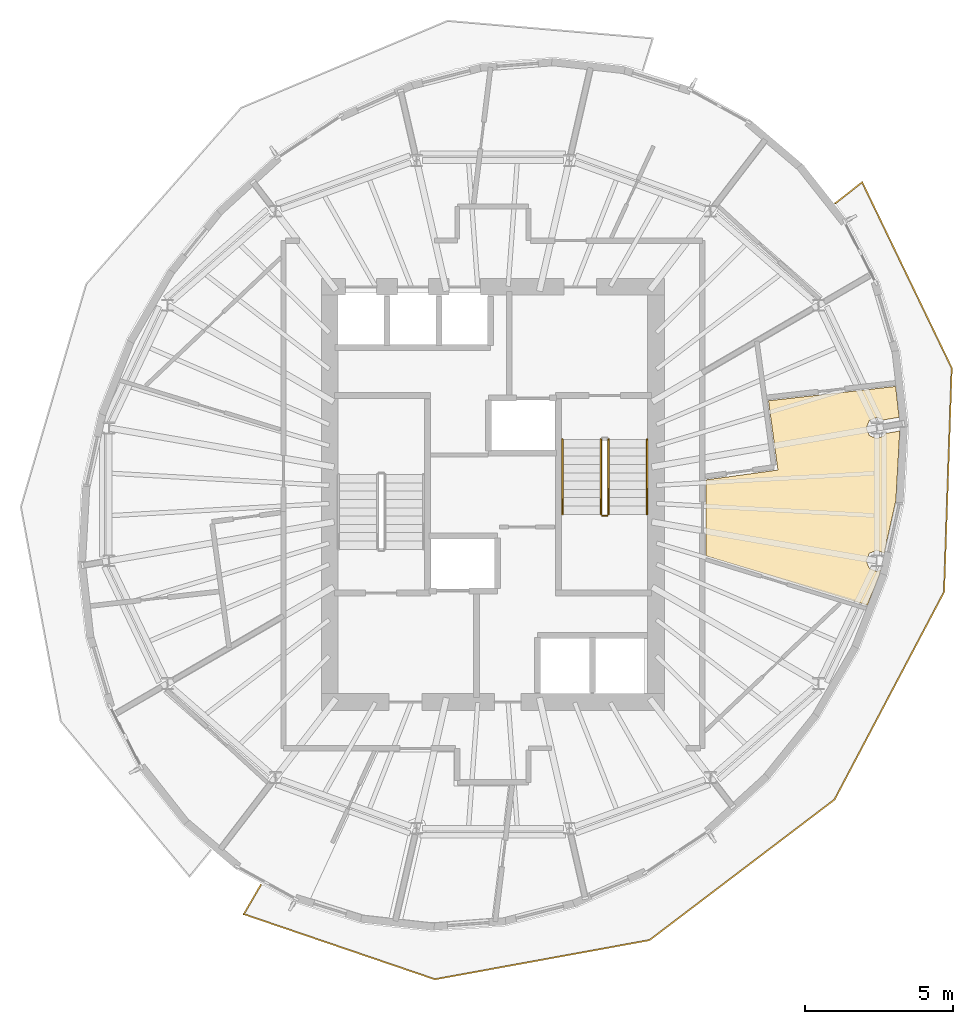
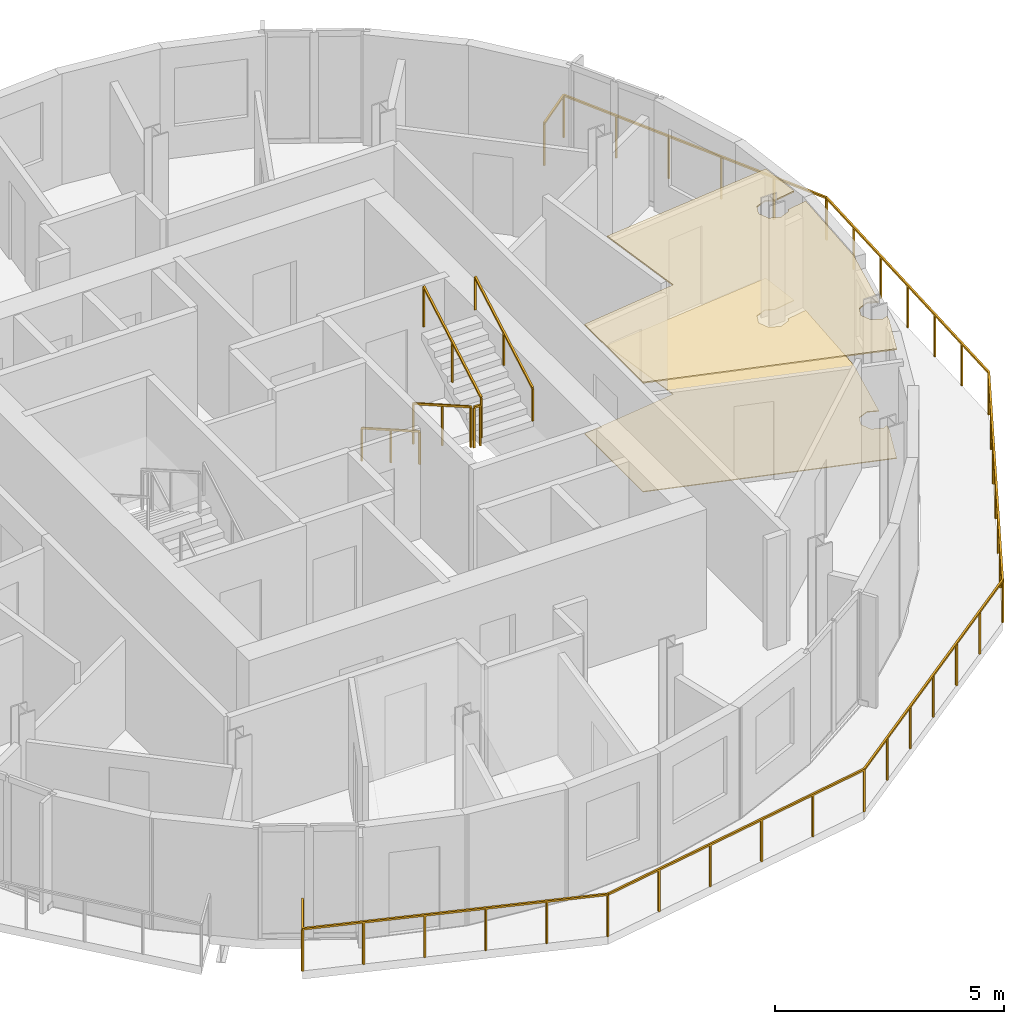
# One storey, part 9 of 11: 6 railings, 2 coverings.
"""IFC4 building model written with IfcOpenShell, lengths in metres."""

from ifc_helpers import new_model, si_unit, direction, frame, origin, origin_2d, place, context, subcontext, project, spatial, polyline, rectangle, outline, extrude, material, layer, layer_set, type_object, element, save


model = new_model("IFC4")

# Units and contexts
model_context = context("Model", 3, precision=1e-05, world=origin(), true_north=direction((0.0, 1.0)))
body_context = subcontext(model_context, "Body", "Model", "MODEL_VIEW")
ifc_project = project(units=[si_unit("LENGTHUNIT", "METRE"), si_unit("AREAUNIT", "SQUARE_METRE"), si_unit("VOLUMEUNIT", "CUBIC_METRE"), si_unit("PLANEANGLEUNIT", "RADIAN"), si_unit("MASSUNIT", "GRAM", prefix="KILO")], contexts=[model_context])

# Site, building, storey
site_placement = place(None, origin())
site = spatial("IfcSite", under=ifc_project, at=site_placement, CompositionType="ELEMENT")
building_placement = place(site_placement, origin())
building = spatial("IfcBuilding", under=site, at=building_placement, Name="Veldorim Arch Residences", CompositionType="ELEMENT")
storey_placement = place(building_placement, frame((0.0, 0.0, 227.0400390625)))
storey = spatial("IfcBuildingStorey", under=building, at=storey_placement, Name="L68", CompositionType="ELEMENT", Elevation=227.0400390625)

# Railings
ifc_material_1 = material(Name="Aluminium", Category="aluminium")
railing_type_1 = type_object("IfcRailingType", Name="Balcony & Terrace Laminated Glass Balustrade 1150", PredefinedType="BALUSTRADE", material=ifc_material_1)
railing_1_placement = place(storey_placement, frame((24.1767578125, 10.8408203125, 0.0)))
element("IfcRailing", 1, at=railing_1_placement, inside=storey, type_object=railing_type_1, Name="L68 crescent balcony safety balustrade B", PredefinedType="BALUSTRADE", context=body_context, shape_type="SweptSolid", body=[
    extrude(rectangle(XDim=0.048095703125, YDim=0.048095703125, at=origin_2d()), frame((0.0, 0.0, 1.1259765625), z_axis=(-0.502391622868, -0.864640189484, 0.0), x_axis=(0.864640189484, -0.502391622868, 0.0)), (0.0, 0.0, 1.0), 1.149658203125),
    extrude(rectangle(XDim=0.048095703125, YDim=0.048095703125, at=origin_2d()), frame((-0.57763671875, -0.994140625, 1.1259765625), z_axis=(0.946524622517, -0.322631583961, 0.0), x_axis=(0.322631583961, 0.946524622517, 0.0)), (0.0, 0.0, 1.0), 6.808837890625),
    extrude(rectangle(XDim=0.048095703125, YDim=0.048095703125, at=origin_2d()), frame((5.8671875, -3.19091796875, 1.1259765625), z_axis=(0.983745959896, 0.179565827452, 0.0), x_axis=(-0.179565827452, 0.983745959896, 0.0)), (0.0, 0.0, 1.0), 7.35693359375),
    extrude(rectangle(XDim=0.048095703125, YDim=0.048095703125, at=origin_2d()), frame((13.1044921875, -1.869873046875, 1.1259765625), z_axis=(0.796345377287, 0.604842161289, 0.0), x_axis=(-0.604842161289, 0.796345377287, 0.0)), (0.0, 0.0, 1.0), 7.83154296875),
    extrude(rectangle(XDim=0.048095703125, YDim=0.048095703125, at=origin_2d()), frame((19.341064453125, 2.866943359375, 1.1259765625), z_axis=(0.466603888338, 0.884466399242, 0.0), x_axis=(-0.884466399242, 0.466603888338, 0.0)), (0.0, 0.0, 1.0), 7.919189453125),
    extrude(rectangle(XDim=0.048095703125, YDim=0.048095703125, at=origin_2d()), frame((23.0361328125, 9.87109375, 1.1259765625), z_axis=(0.034155106442, 0.999416544142, 0.0), x_axis=(-0.999416544142, 0.034155106442, 0.0)), (0.0, 0.0, 1.0), 7.555419921875),
    extrude(rectangle(XDim=0.048095703125, YDim=0.048095703125, at=origin_2d()), frame((23.294189453125, 17.422119140625, 1.1259765625), z_axis=(-0.434350544358, 0.900743917335, 0.0), x_axis=(-0.900743917335, -0.434350544358, 0.0)), (0.0, 0.0, 1.0), 6.956298828125),
    extrude(rectangle(XDim=0.048095703125, YDim=0.048095703125, at=origin_2d()), frame((20.272705078125, 23.68798828125, 1.1259765625), z_axis=(-0.78550730875, -0.618852379732, 0.0), x_axis=(0.618852379732, -0.78550730875, 0.0)), (0.0, 0.0, 1.0), 1.14990234375),
    extrude(rectangle(XDim=0.0419921875, YDim=0.0419921875, at=origin_2d()), origin(), (0.0, 0.0, 1.0), 1.101806640625),
    extrude(rectangle(XDim=0.0419921875, YDim=0.0419921875, at=origin_2d()), frame((-0.57763671875, -0.994140625, 0.0)), (0.0, 0.0, 1.0), 1.101806640625),
    extrude(rectangle(XDim=0.0419921875, YDim=0.0419921875, at=origin_2d()), frame((0.71142578125, -1.43359375, 0.0)), (0.0, 0.0, 1.0), 1.101806640625),
    extrude(rectangle(XDim=0.0419921875, YDim=0.0419921875, at=origin_2d()), frame((2.000244140625, -1.872802734375, 0.0)), (0.0, 0.0, 1.0), 1.101806640625),
    extrude(rectangle(XDim=0.0419921875, YDim=0.0419921875, at=origin_2d()), frame((3.289306640625, -2.312255859375, 0.0)), (0.0, 0.0, 1.0), 1.101806640625),
    extrude(rectangle(XDim=0.0419921875, YDim=0.0419921875, at=origin_2d()), frame((4.578125, -2.75146484375, 0.0)), (0.0, 0.0, 1.0), 1.101806640625),
    extrude(rectangle(XDim=0.0419921875, YDim=0.0419921875, at=origin_2d()), frame((5.8671875, -3.19091796875, 0.0)), (0.0, 0.0, 1.0), 1.101806640625),
    extrude(rectangle(XDim=0.0419921875, YDim=0.0419921875, at=origin_2d()), frame((7.314697265625, -2.9267578125, 0.0)), (0.0, 0.0, 1.0), 1.101806640625),
    extrude(rectangle(XDim=0.0419921875, YDim=0.0419921875, at=origin_2d()), frame((8.76220703125, -2.66259765625, 0.0)), (0.0, 0.0, 1.0), 1.101806640625),
    extrude(rectangle(XDim=0.0419921875, YDim=0.0419921875, at=origin_2d()), frame((10.20947265625, -2.398193359375, 0.0)), (0.0, 0.0, 1.0), 1.101806640625),
    extrude(rectangle(XDim=0.0419921875, YDim=0.0419921875, at=origin_2d()), frame((11.656982421875, -2.134033203125, 0.0)), (0.0, 0.0, 1.0), 1.101806640625),
    extrude(rectangle(XDim=0.0419921875, YDim=0.0419921875, at=origin_2d()), frame((13.1044921875, -1.869873046875, 0.0)), (0.0, 0.0, 1.0), 1.101806640625),
    extrude(rectangle(XDim=0.0419921875, YDim=0.0419921875, at=origin_2d()), frame((14.14404296875, -1.080322265625, 0.0)), (0.0, 0.0, 1.0), 1.101806640625),
    extrude(rectangle(XDim=0.0419921875, YDim=0.0419921875, at=origin_2d()), frame((15.183349609375, -0.291015625, 0.0)), (0.0, 0.0, 1.0), 1.101806640625),
    extrude(rectangle(XDim=0.0419921875, YDim=0.0419921875, at=origin_2d()), frame((16.22265625, 0.49853515625, 0.0)), (0.0, 0.0, 1.0), 1.101806640625),
    extrude(rectangle(XDim=0.0419921875, YDim=0.0419921875, at=origin_2d()), frame((17.26220703125, 1.2880859375, 0.0)), (0.0, 0.0, 1.0), 1.101806640625),
    extrude(rectangle(XDim=0.0419921875, YDim=0.0419921875, at=origin_2d()), frame((18.3017578125, 2.077392578125, 0.0)), (0.0, 0.0, 1.0), 1.101806640625),
    extrude(rectangle(XDim=0.0419921875, YDim=0.0419921875, at=origin_2d()), frame((19.341064453125, 2.866943359375, 0.0)), (0.0, 0.0, 1.0), 1.101806640625),
    extrude(rectangle(XDim=0.0419921875, YDim=0.0419921875, at=origin_2d()), frame((19.95703125, 4.0341796875, 0.0)), (0.0, 0.0, 1.0), 1.101806640625),
    extrude(rectangle(XDim=0.0419921875, YDim=0.0419921875, at=origin_2d()), frame((20.57275390625, 5.20166015625, 0.0)), (0.0, 0.0, 1.0), 1.101806640625),
    extrude(rectangle(XDim=0.0419921875, YDim=0.0419921875, at=origin_2d()), frame((21.1884765625, 6.369140625, 0.0)), (0.0, 0.0, 1.0), 1.101806640625),
    extrude(rectangle(XDim=0.0419921875, YDim=0.0419921875, at=origin_2d()), frame((21.804443359375, 7.536376953125, 0.0)), (0.0, 0.0, 1.0), 1.101806640625),
    extrude(rectangle(XDim=0.0419921875, YDim=0.0419921875, at=origin_2d()), frame((22.42041015625, 8.70361328125, 0.0)), (0.0, 0.0, 1.0), 1.101806640625),
    extrude(rectangle(XDim=0.0419921875, YDim=0.0419921875, at=origin_2d()), frame((23.0361328125, 9.87109375, 0.0)), (0.0, 0.0, 1.0), 1.101806640625),
    extrude(rectangle(XDim=0.0419921875, YDim=0.0419921875, at=origin_2d()), frame((23.0791015625, 11.129638671875, 0.0)), (0.0, 0.0, 1.0), 1.101806640625),
    extrude(rectangle(XDim=0.0419921875, YDim=0.0419921875, at=origin_2d()), frame((23.1220703125, 12.38818359375, 0.0)), (0.0, 0.0, 1.0), 1.101806640625),
    extrude(rectangle(XDim=0.0419921875, YDim=0.0419921875, at=origin_2d()), frame((23.1650390625, 13.646484375, 0.0)), (0.0, 0.0, 1.0), 1.101806640625),
    extrude(rectangle(XDim=0.0419921875, YDim=0.0419921875, at=origin_2d()), frame((23.208251953125, 14.905029296875, 0.0)), (0.0, 0.0, 1.0), 1.101806640625),
    extrude(rectangle(XDim=0.0419921875, YDim=0.0419921875, at=origin_2d()), frame((23.251220703125, 16.16357421875, 0.0)), (0.0, 0.0, 1.0), 1.101806640625),
    extrude(rectangle(XDim=0.0419921875, YDim=0.0419921875, at=origin_2d()), frame((23.294189453125, 17.422119140625, 0.0)), (0.0, 0.0, 1.0), 1.101806640625),
    extrude(rectangle(XDim=0.0419921875, YDim=0.0419921875, at=origin_2d()), frame((22.68994140625, 18.67529296875, 0.0)), (0.0, 0.0, 1.0), 1.101806640625),
    extrude(rectangle(XDim=0.0419921875, YDim=0.0419921875, at=origin_2d()), frame((22.085693359375, 19.928466796875, 0.0)), (0.0, 0.0, 1.0), 1.101806640625),
    extrude(rectangle(XDim=0.0419921875, YDim=0.0419921875, at=origin_2d()), frame((21.481201171875, 21.181640625, 0.0)), (0.0, 0.0, 1.0), 1.101806640625),
    extrude(rectangle(XDim=0.0419921875, YDim=0.0419921875, at=origin_2d()), frame((20.876953125, 22.434814453125, 0.0)), (0.0, 0.0, 1.0), 1.101806640625),
    extrude(rectangle(XDim=0.0419921875, YDim=0.0419921875, at=origin_2d()), frame((20.272705078125, 23.68798828125, 0.0)), (0.0, 0.0, 1.0), 1.101806640625),
    extrude(rectangle(XDim=0.0419921875, YDim=0.0419921875, at=origin_2d()), frame((19.369384765625, 22.976318359375, 0.0)), (0.0, 0.0, 1.0), 1.101806640625),
])
ifc_material_2 = material(Name="Steel S355", Category="steel")
railing_type_2 = type_object("IfcRailingType", Name="Galvanised Steel Stair Safety Guardrail 1100", PredefinedType="GUARDRAIL", material=ifc_material_2)
railing_2_placement = place(storey_placement, frame((35.639892578125, 25.85009765625, 0.159912109375)))
element("IfcRailing", 2, at=railing_2_placement, inside=storey, type_object=railing_type_2, Name="L68 ST-2 stair guard 1", PredefinedType="GUARDRAIL", context=body_context, shape_type="SweptSolid", body=[
    extrude(rectangle(XDim=0.048095703125, YDim=0.048095703125, at=origin_2d()), frame((0.0, 0.0, 1.076171875), z_axis=(0.0, -0.868253494771, 0.496120820787), x_axis=(1.0, 0.0, 0.0)), (0.0, 0.0, 1.0), 2.90234375),
    extrude(rectangle(XDim=0.0419921875, YDim=0.0419921875, at=origin_2d()), origin(), (0.0, 0.0, 1.0), 1.052001953125),
    extrude(rectangle(XDim=0.0419921875, YDim=0.0419921875, at=origin_2d()), frame((0.0, -1.260009765625, 0.719970703125)), (0.0, 0.0, 1.0), 1.052001953125),
    extrude(rectangle(XDim=0.0419921875, YDim=0.0419921875, at=origin_2d()), frame((0.0, -2.52001953125, 1.43994140625)), (0.0, 0.0, 1.0), 1.052001953125),
])
railing_3_placement = place(storey_placement, frame((35.68994140625, 23.280029296875, 1.599853515625)))
element("IfcRailing", 3, at=railing_3_placement, inside=storey, type_object=railing_type_2, Name="L68 ST-2 stair guard 2", PredefinedType="GUARDRAIL", context=body_context, shape_type="SweptSolid", body=[
    extrude(rectangle(XDim=0.048095703125, YDim=0.048095703125, at=origin_2d()), frame((0.0, 0.0, 1.076171875), z_axis=(1.0, 0.0, 0.0), x_axis=(0.0, 1.0, 0.0)), (0.0, 0.0, 1.0), 0.16015625),
    extrude(rectangle(XDim=0.0419921875, YDim=0.0419921875, at=origin_2d()), origin(), (0.0, 0.0, 1.0), 1.052001953125),
    extrude(rectangle(XDim=0.0419921875, YDim=0.0419921875, at=origin_2d()), frame((0.16015625, 0.0, 0.0)), (0.0, 0.0, 1.0), 1.052001953125),
])
railing_4_placement = place(storey_placement, frame((35.89990234375, 23.330078125, 1.760009765625)))
element("IfcRailing", 4, at=railing_4_placement, inside=storey, type_object=railing_type_2, Name="L68 ST-2 stair guard 3", PredefinedType="GUARDRAIL", context=body_context, shape_type="SweptSolid", body=[
    extrude(rectangle(XDim=0.048095703125, YDim=0.048095703125, at=origin_2d()), frame((0.0, 0.0, 1.076171875), z_axis=(0.0, 0.868253494771, 0.496120820787), x_axis=(-1.0, 0.0, 0.0)), (0.0, 0.0, 1.0), 2.90234375),
    extrude(rectangle(XDim=0.0419921875, YDim=0.0419921875, at=origin_2d()), origin(), (0.0, 0.0, 1.0), 1.052001953125),
    extrude(rectangle(XDim=0.0419921875, YDim=0.0419921875, at=origin_2d()), frame((0.0, 1.260009765625, 0.719970703125)), (0.0, 0.0, 1.0), 1.052001953125),
    extrude(rectangle(XDim=0.0419921875, YDim=0.0419921875, at=origin_2d()), frame((0.0, 2.52001953125, 1.43994140625)), (0.0, 0.0, 1.0), 1.052001953125),
])

# Coverings
ifc_material_3 = material(Name="Acoustic Gypsum & Mineral Fibre", Category="gypsum")
ifc_layer_1 = layer(ifc_material_3, 0.034912109375, Name="Perforated Acoustic Mineral-Fibre Ceiling 35")
ifc_layer_set_1 = layer_set([ifc_layer_1], Name="Acoustic Gypsum & Mineral Fibre")
covering_type_1 = type_object("IfcCoveringType", Name="Perforated Acoustic Mineral-Fibre Ceiling 35", PredefinedType="CEILING", material=ifc_layer_set_1)
covering_1_placement = place(storey_placement, frame((0.0, 0.0, 2.905029296875)))
element("IfcCovering", 5, at=covering_1_placement, inside=storey, type_object=covering_type_1, Name="L68 acoustic suspended ceiling 02", PredefinedType="CEILING", context=body_context, shape_type="SweptSolid", body=[
    extrude(outline(polyline([(45.031005859375, 21.291015625), (44.628662109375, 20.266845703125), (39.179931640625, 21.931640625), (39.179931640625, 24.490966796875), (41.6103515625, 24.822509765625), (41.29150390625, 27.15869140625), (45.57861328125, 27.64111328125), (45.69580078125, 26.602294921875), (45.161376953125, 26.510009765625), (44.9462890625, 26.59912109375), (44.6923828125, 26.49365234375), (44.5869140625, 26.239501953125), (44.6923828125, 25.985595703125), (44.9462890625, 25.880126953125), (45.200439453125, 25.985595703125), (45.2294921875, 26.055419921875), (45.71875, 26.14013671875), (45.586669921875, 23.80029296875), (45.19189453125, 22.01806640625), (44.9462890625, 22.119873046875), (44.6923828125, 22.014404296875), (44.5869140625, 21.760498046875), (44.6923828125, 21.50634765625), (44.9462890625, 21.40087890625), (45.066162109375, 21.45068359375), (45.031005859375, 21.291015625)])), origin(), (0.0, 0.0, 1.0), 0.034912109375),
])
ifc_material_4 = material(Name="Porcelain Ceramic Tile", Category="ceramic")
ifc_layer_2 = layer(ifc_material_4, 0.02001953125, Name="Slip-Resistant Porcelain & Vinyl Floor Finish 20")
ifc_layer_set_2 = layer_set([ifc_layer_2], Name="Porcelain Ceramic Tile")
covering_type_2 = type_object("IfcCoveringType", Name="Slip-Resistant Porcelain & Vinyl Floor Finish 20", PredefinedType="FLOORING", material=ifc_layer_set_2)
covering_2_placement = place(storey_placement, origin())
element("IfcCovering", 6, at=covering_2_placement, inside=storey, type_object=covering_type_2, Name="L68 porcelain floor finish 02", PredefinedType="FLOORING", context=body_context, shape_type="SweptSolid", body=[
    extrude(outline(polyline([(45.031005859375, 21.291015625), (44.628662109375, 20.266845703125), (39.179931640625, 21.931640625), (39.179931640625, 24.490966796875), (41.6103515625, 24.822509765625), (41.29150390625, 27.15869140625), (45.57861328125, 27.64111328125), (45.69580078125, 26.602294921875), (45.161376953125, 26.510009765625), (44.9462890625, 26.59912109375), (44.6923828125, 26.49365234375), (44.5869140625, 26.239501953125), (44.6923828125, 25.985595703125), (44.9462890625, 25.880126953125), (45.200439453125, 25.985595703125), (45.2294921875, 26.055419921875), (45.71875, 26.14013671875), (45.586669921875, 23.80029296875), (45.19189453125, 22.01806640625), (44.9462890625, 22.119873046875), (44.6923828125, 22.014404296875), (44.5869140625, 21.760498046875), (44.6923828125, 21.50634765625), (44.9462890625, 21.40087890625), (45.066162109375, 21.45068359375), (45.031005859375, 21.291015625)])), origin(), (0.0, 0.0, 1.0), 0.02001953125),
])

# Railings
ifc_material_5 = material(Name="Stainless Steel", Category="steel")
railing_type_3 = type_object("IfcRailingType", Name="Tubular Steel Continuous Wall Handrail 900", PredefinedType="HANDRAIL", material=ifc_material_5)
railing_5_placement = place(storey_placement, frame((34.340087890625, 25.85009765625, 0.159912109375)))
element("IfcRailing", 7, at=railing_5_placement, inside=storey, type_object=railing_type_3, Name="L68 ST-2 stair handrail 1", PredefinedType="HANDRAIL", context=body_context, shape_type="SweptSolid", body=[
    extrude(rectangle(XDim=0.048095703125, YDim=0.048095703125, at=origin_2d()), frame((0.0, 0.0, 0.8759765625), z_axis=(0.0, -0.868253494771, 0.496120820787), x_axis=(1.0, 0.0, 0.0)), (0.0, 0.0, 1.0), 2.90234375),
    extrude(rectangle(XDim=0.0419921875, YDim=0.0419921875, at=origin_2d()), origin(), (0.0, 0.0, 1.0), 0.851806640625),
    extrude(rectangle(XDim=0.0419921875, YDim=0.0419921875, at=origin_2d()), frame((0.0, -1.260009765625, 0.719970703125)), (0.0, 0.0, 1.0), 0.851806640625),
    extrude(rectangle(XDim=0.0419921875, YDim=0.0419921875, at=origin_2d()), frame((0.0, -2.52001953125, 1.43994140625)), (0.0, 0.0, 1.0), 0.851806640625),
])
railing_6_placement = place(storey_placement, frame((37.199951171875, 23.330078125, 1.760009765625)))
element("IfcRailing", 8, at=railing_6_placement, inside=storey, type_object=railing_type_3, Name="L68 ST-2 stair handrail 2", PredefinedType="HANDRAIL", context=body_context, shape_type="SweptSolid", body=[
    extrude(rectangle(XDim=0.048095703125, YDim=0.048095703125, at=origin_2d()), frame((0.0, 0.0, 0.8759765625), z_axis=(0.0, 0.868253494771, 0.496120820787), x_axis=(-1.0, 0.0, 0.0)), (0.0, 0.0, 1.0), 2.90234375),
    extrude(rectangle(XDim=0.0419921875, YDim=0.0419921875, at=origin_2d()), origin(), (0.0, 0.0, 1.0), 0.851806640625),
    extrude(rectangle(XDim=0.0419921875, YDim=0.0419921875, at=origin_2d()), frame((0.0, 1.260009765625, 0.719970703125)), (0.0, 0.0, 1.0), 0.851806640625),
    extrude(rectangle(XDim=0.0419921875, YDim=0.0419921875, at=origin_2d()), frame((0.0, 2.52001953125, 1.43994140625)), (0.0, 0.0, 1.0), 0.851806640625),
])

save(model, "model.ifc")
